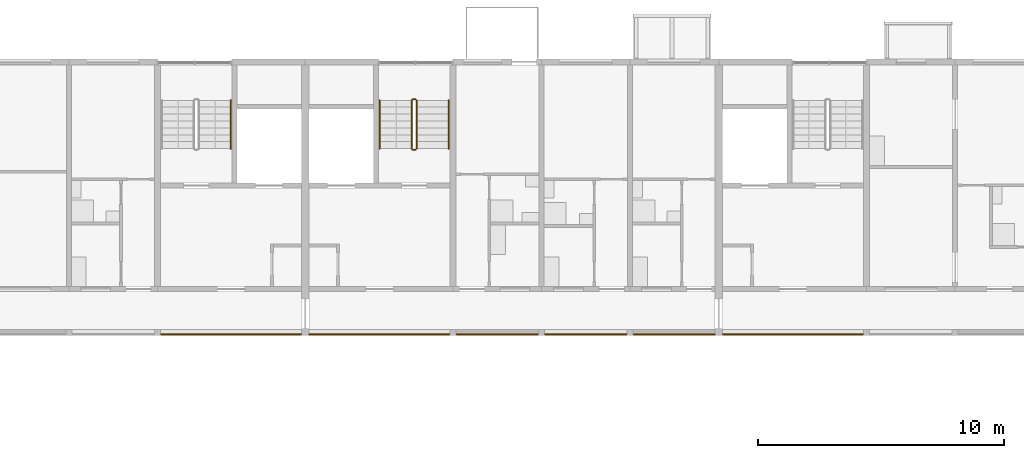
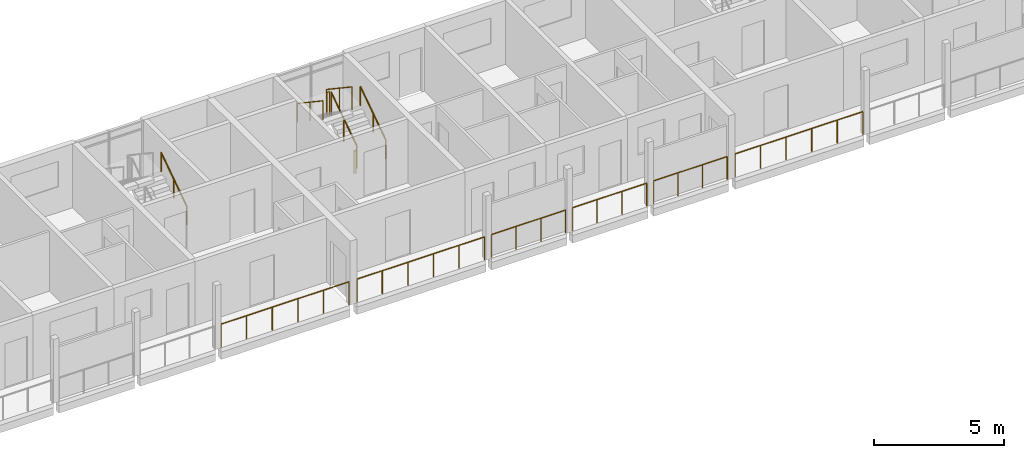
# One storey, part 84 of 98: 13 railings.
"""IFC4 building model written with IfcOpenShell, lengths in metres."""

from ifc_helpers import new_model, si_unit, direction, frame, origin, origin_2d, place, context, subcontext, project, spatial, circle, extrude, material, type_object, element, save


model = new_model("IFC4")

# Units and contexts
model_context = context("Model", 3, precision=1e-05, world=origin(), true_north=direction((0.0, 1.0)))
body_context = subcontext(model_context, "Body", "Model", "MODEL_VIEW")
ifc_project = project(units=[si_unit("LENGTHUNIT", "METRE"), si_unit("AREAUNIT", "SQUARE_METRE"), si_unit("VOLUMEUNIT", "CUBIC_METRE"), si_unit("PLANEANGLEUNIT", "RADIAN"), si_unit("MASSUNIT", "GRAM", prefix="KILO")], contexts=[model_context])

# Site, building, storey
site_placement = place(None, origin())
site = spatial("IfcSite", under=ifc_project, at=site_placement, CompositionType="ELEMENT")
building_placement = place(site_placement, origin())
building = spatial("IfcBuilding", under=site, at=building_placement, Name="Ridgestep Commons", CompositionType="ELEMENT")
storey_placement = place(building_placement, frame((0.0, 0.0, 12.0)))
storey = spatial("IfcBuildingStorey", under=building, at=storey_placement, Name="L04", CompositionType="ELEMENT", Elevation=12.0)

# Railings
ifc_material_1 = material(Name="Structural steel S355JR", Category="steel")
railing_type_1 = type_object("IfcRailingType", Name="Guard 1100", PredefinedType="GUARDRAIL", material=ifc_material_1)
railing_1_placement = place(storey_placement, frame((73.345947265625, 66.050048828125, 0.0)))
element("IfcRailing", 1, at=railing_1_placement, inside=storey, type_object=railing_type_1, Name="Gallery guard B 04.16", PredefinedType="GUARDRAIL", context=body_context, shape_type="SweptSolid", body=[
    extrude(circle(Radius=0.02392578125, at=origin_2d()), frame((0.0, 0.0, 1.076171875), z_axis=(1.0, 0.0, 0.0), x_axis=(0.0, 1.0, 0.0)), (0.0, 0.0, 1.0), 5.68310546875),
    extrude(circle(Radius=0.02099609375, at=origin_2d()), origin(), (0.0, 0.0, 1.0), 1.052001953125),
    extrude(circle(Radius=0.02099609375, at=origin_2d()), frame((1.13671875, 0.0, 0.0)), (0.0, 0.0, 1.0), 1.052001953125),
    extrude(circle(Radius=0.02099609375, at=origin_2d()), frame((2.273193359375, 0.0, 0.0)), (0.0, 0.0, 1.0), 1.052001953125),
    extrude(circle(Radius=0.02099609375, at=origin_2d()), frame((3.409912109375, 0.0, 0.0)), (0.0, 0.0, 1.0), 1.052001953125),
    extrude(circle(Radius=0.02099609375, at=origin_2d()), frame((4.54638671875, 0.0, 0.0)), (0.0, 0.0, 1.0), 1.052001953125),
    extrude(circle(Radius=0.02099609375, at=origin_2d()), frame((5.68310546875, 0.0, 0.0)), (0.0, 0.0, 1.0), 1.052001953125),
])
railing_2_placement = place(storey_placement, frame((79.37109375, 66.050048828125, 0.0)))
element("IfcRailing", 2, at=railing_2_placement, inside=storey, type_object=railing_type_1, Name="Gallery guard B 04.17", PredefinedType="GUARDRAIL", context=body_context, shape_type="SweptSolid", body=[
    extrude(circle(Radius=0.02392578125, at=origin_2d()), frame((0.0, 0.0, 1.076171875), z_axis=(1.0, 0.0, 0.0), x_axis=(0.0, 1.0, 0.0)), (0.0, 0.0, 1.0), 5.682861328125),
    extrude(circle(Radius=0.02099609375, at=origin_2d()), origin(), (0.0, 0.0, 1.0), 1.052001953125),
    extrude(circle(Radius=0.02099609375, at=origin_2d()), frame((1.136474609375, 0.0, 0.0)), (0.0, 0.0, 1.0), 1.052001953125),
    extrude(circle(Radius=0.02099609375, at=origin_2d()), frame((2.273193359375, 0.0, 0.0)), (0.0, 0.0, 1.0), 1.052001953125),
    extrude(circle(Radius=0.02099609375, at=origin_2d()), frame((3.40966796875, 0.0, 0.0)), (0.0, 0.0, 1.0), 1.052001953125),
    extrude(circle(Radius=0.02099609375, at=origin_2d()), frame((4.54638671875, 0.0, 0.0)), (0.0, 0.0, 1.0), 1.052001953125),
    extrude(circle(Radius=0.02099609375, at=origin_2d()), frame((5.682861328125, 0.0, 0.0)), (0.0, 0.0, 1.0), 1.052001953125),
])
railing_3_placement = place(storey_placement, frame((85.345947265625, 66.050048828125, 0.0)))
element("IfcRailing", 3, at=railing_3_placement, inside=storey, type_object=railing_type_1, Name="Gallery guard B 04.18", PredefinedType="GUARDRAIL", context=body_context, shape_type="SweptSolid", body=[
    extrude(circle(Radius=0.02392578125, at=origin_2d()), frame((0.0, 0.0, 1.076171875), z_axis=(1.0, 0.0, 0.0), x_axis=(0.0, 1.0, 0.0)), (0.0, 0.0, 1.0), 3.30810546875),
    extrude(circle(Radius=0.02099609375, at=origin_2d()), origin(), (0.0, 0.0, 1.0), 1.052001953125),
    extrude(circle(Radius=0.02099609375, at=origin_2d()), frame((1.102783203125, 0.0, 0.0)), (0.0, 0.0, 1.0), 1.052001953125),
    extrude(circle(Radius=0.02099609375, at=origin_2d()), frame((2.205322265625, 0.0, 0.0)), (0.0, 0.0, 1.0), 1.052001953125),
    extrude(circle(Radius=0.02099609375, at=origin_2d()), frame((3.30810546875, 0.0, 0.0)), (0.0, 0.0, 1.0), 1.052001953125),
])
railing_4_placement = place(storey_placement, frame((88.946044921875, 66.050048828125, 0.0)))
element("IfcRailing", 4, at=railing_4_placement, inside=storey, type_object=railing_type_1, Name="Gallery guard B 04.19", PredefinedType="GUARDRAIL", context=body_context, shape_type="SweptSolid", body=[
    extrude(circle(Radius=0.02392578125, at=origin_2d()), frame((0.0, 0.0, 1.076171875), z_axis=(1.0, 0.0, 0.0), x_axis=(0.0, 1.0, 0.0)), (0.0, 0.0, 1.0), 3.307861328125),
    extrude(circle(Radius=0.02099609375, at=origin_2d()), origin(), (0.0, 0.0, 1.0), 1.052001953125),
    extrude(circle(Radius=0.02099609375, at=origin_2d()), frame((1.1025390625, 0.0, 0.0)), (0.0, 0.0, 1.0), 1.052001953125),
    extrude(circle(Radius=0.02099609375, at=origin_2d()), frame((2.205322265625, 0.0, 0.0)), (0.0, 0.0, 1.0), 1.052001953125),
    extrude(circle(Radius=0.02099609375, at=origin_2d()), frame((3.307861328125, 0.0, 0.0)), (0.0, 0.0, 1.0), 1.052001953125),
])
railing_5_placement = place(storey_placement, frame((92.5458984375, 66.050048828125, 0.0)))
element("IfcRailing", 5, at=railing_5_placement, inside=storey, type_object=railing_type_1, Name="Gallery guard B 04.20", PredefinedType="GUARDRAIL", context=body_context, shape_type="SweptSolid", body=[
    extrude(circle(Radius=0.02392578125, at=origin_2d()), frame((0.0, 0.0, 1.076171875), z_axis=(1.0, 0.0, 0.0), x_axis=(0.0, 1.0, 0.0)), (0.0, 0.0, 1.0), 3.283203125),
    extrude(circle(Radius=0.02099609375, at=origin_2d()), origin(), (0.0, 0.0, 1.0), 1.052001953125),
    extrude(circle(Radius=0.02099609375, at=origin_2d()), frame((1.094482421875, 0.0, 0.0)), (0.0, 0.0, 1.0), 1.052001953125),
    extrude(circle(Radius=0.02099609375, at=origin_2d()), frame((2.188720703125, 0.0, 0.0)), (0.0, 0.0, 1.0), 1.052001953125),
    extrude(circle(Radius=0.02099609375, at=origin_2d()), frame((3.283203125, 0.0, 0.0)), (0.0, 0.0, 1.0), 1.052001953125),
])
railing_6_placement = place(storey_placement, frame((96.1708984375, 66.050048828125, 0.0)))
element("IfcRailing", 6, at=railing_6_placement, inside=storey, type_object=railing_type_1, Name="Gallery guard B 04.21", PredefinedType="GUARDRAIL", context=body_context, shape_type="SweptSolid", body=[
    extrude(circle(Radius=0.02392578125, at=origin_2d()), frame((0.0, 0.0, 1.076171875), z_axis=(1.0, 0.0, 0.0), x_axis=(0.0, 1.0, 0.0)), (0.0, 0.0, 1.0), 5.68310546875),
    extrude(circle(Radius=0.02099609375, at=origin_2d()), origin(), (0.0, 0.0, 1.0), 1.052001953125),
    extrude(circle(Radius=0.02099609375, at=origin_2d()), frame((1.13671875, 0.0, 0.0)), (0.0, 0.0, 1.0), 1.052001953125),
    extrude(circle(Radius=0.02099609375, at=origin_2d()), frame((2.273193359375, 0.0, 0.0)), (0.0, 0.0, 1.0), 1.052001953125),
    extrude(circle(Radius=0.02099609375, at=origin_2d()), frame((3.409912109375, 0.0, 0.0)), (0.0, 0.0, 1.0), 1.052001953125),
    extrude(circle(Radius=0.02099609375, at=origin_2d()), frame((4.54638671875, 0.0, 0.0)), (0.0, 0.0, 1.0), 1.052001953125),
    extrude(circle(Radius=0.02099609375, at=origin_2d()), frame((5.68310546875, 0.0, 0.0)), (0.0, 0.0, 1.0), 1.052001953125),
])
ifc_material_2 = material(Name="Structural steel S355JR", Category="steel")
railing_type_2 = type_object("IfcRailingType", Name="Stair guard 1100", PredefinedType="GUARDRAIL", material=ifc_material_2)
railing_7_placement = place(storey_placement, frame((83.72509765625, 73.60009765625, 0.1875)))
element("IfcRailing", 7, at=railing_7_placement, inside=storey, type_object=railing_type_2, Name="L04 B5C stair guard 1", PredefinedType="GUARDRAIL", context=body_context, shape_type="SweptSolid", body=[
    extrude(circle(Radius=0.02392578125, at=origin_2d()), frame((0.0, 0.0, 1.076171875), z_axis=(0.0, 0.830902050051, 0.556418712142), x_axis=(-1.0, 0.0, 0.0)), (0.0, 0.0, 1.0), 2.35888671875),
    extrude(circle(Radius=0.02099609375, at=origin_2d()), origin(), (0.0, 0.0, 1.0), 1.052001953125),
    extrude(circle(Radius=0.02099609375, at=origin_2d()), frame((0.0, 0.97998046875, 0.65625)), (0.0, 0.0, 1.0), 1.052001953125),
    extrude(circle(Radius=0.02099609375, at=origin_2d()), frame((0.0, 1.9599609375, 1.3125)), (0.0, 0.0, 1.0), 1.052001953125),
])
railing_8_placement = place(storey_placement, frame((83.675048828125, 75.610107421875, 1.5)))
element("IfcRailing", 8, at=railing_8_placement, inside=storey, type_object=railing_type_2, Name="L04 B5C stair guard 2", PredefinedType="GUARDRAIL", context=body_context, shape_type="SweptSolid", body=[
    extrude(circle(Radius=0.02392578125, at=origin_2d()), frame((0.0, 0.0, 1.076171875), z_axis=(-1.0, 0.0, 0.0), x_axis=(0.0, -1.0, 0.0)), (0.0, 0.0, 1.0), 0.10009765625),
    extrude(circle(Radius=0.02099609375, at=origin_2d()), origin(), (0.0, 0.0, 1.0), 1.052001953125),
    extrude(circle(Radius=0.02099609375, at=origin_2d()), frame((-0.10009765625, 0.0, 0.0)), (0.0, 0.0, 1.0), 1.052001953125),
])
railing_9_placement = place(storey_placement, frame((83.52490234375, 75.56005859375, 1.6875)))
element("IfcRailing", 9, at=railing_9_placement, inside=storey, type_object=railing_type_2, Name="L04 B5C stair guard 3", PredefinedType="GUARDRAIL", context=body_context, shape_type="SweptSolid", body=[
    extrude(circle(Radius=0.02392578125, at=origin_2d()), frame((0.0, 0.0, 1.076171875), z_axis=(0.0, -0.830902050051, 0.556418712142), x_axis=(1.0, 0.0, 0.0)), (0.0, 0.0, 1.0), 2.35888671875),
    extrude(circle(Radius=0.02099609375, at=origin_2d()), origin(), (0.0, 0.0, 1.0), 1.052001953125),
    extrude(circle(Radius=0.02099609375, at=origin_2d()), frame((0.0, -0.97998046875, 0.65625)), (0.0, 0.0, 1.0), 1.052001953125),
    extrude(circle(Radius=0.02099609375, at=origin_2d()), frame((0.0, -1.9599609375, 1.3125)), (0.0, 0.0, 1.0), 1.052001953125),
])
railing_10_placement = place(storey_placement, frame((83.675048828125, 73.550048828125, 0.0)))
element("IfcRailing", 10, at=railing_10_placement, inside=storey, type_object=railing_type_2, Name="L04 B5C stair guard 4", PredefinedType="GUARDRAIL", context=body_context, shape_type="SweptSolid", body=[
    extrude(circle(Radius=0.02392578125, at=origin_2d()), frame((0.0, 0.0, 1.076171875), z_axis=(-1.0, 0.0, 0.0), x_axis=(0.0, -1.0, 0.0)), (0.0, 0.0, 1.0), 0.10009765625),
    extrude(circle(Radius=0.02099609375, at=origin_2d()), origin(), (0.0, 0.0, 1.0), 1.052001953125),
    extrude(circle(Radius=0.02099609375, at=origin_2d()), frame((-0.10009765625, 0.0, 0.0)), (0.0, 0.0, 1.0), 1.052001953125),
])
ifc_material_3 = material(Name="Structural steel S355JR", Category="steel")
railing_type_3 = type_object("IfcRailingType", Name="Stair handrail 900", PredefinedType="HANDRAIL", material=ifc_material_3)
for number, where, name in (
    (11, (76.175048828125, 73.60009765625, 0.1875), "L04 B4C stair handrail 1"),
    (12, (85.02490234375, 73.60009765625, 0.1875), "L04 B5C stair handrail 1"),
):
    element("IfcRailing", number, at=place(storey_placement, frame(where)), inside=storey, type_object=railing_type_3, Name=name, PredefinedType="HANDRAIL", context=body_context, shape_type="SweptSolid", body=[
        extrude(circle(Radius=0.02392578125, at=origin_2d()), frame((0.0, 0.0, 0.8759765625), z_axis=(0.0, 0.830902050051, 0.556418712142), x_axis=(-1.0, 0.0, 0.0)), (0.0, 0.0, 1.0), 2.35888671875),
        extrude(circle(Radius=0.02099609375, at=origin_2d()), origin(), (0.0, 0.0, 1.0), 0.851806640625),
        extrude(circle(Radius=0.02099609375, at=origin_2d()), frame((0.0, 0.97998046875, 0.65625)), (0.0, 0.0, 1.0), 0.851806640625),
        extrude(circle(Radius=0.02099609375, at=origin_2d()), frame((0.0, 1.9599609375, 1.3125)), (0.0, 0.0, 1.0), 0.851806640625),
    ])
railing_11_placement = place(storey_placement, frame((82.22509765625, 75.56005859375, 1.6875)))
element("IfcRailing", 13, at=railing_11_placement, inside=storey, type_object=railing_type_3, Name="L04 B5C stair handrail 2", PredefinedType="HANDRAIL", context=body_context, shape_type="SweptSolid", body=[
    extrude(circle(Radius=0.02392578125, at=origin_2d()), frame((0.0, 0.0, 0.8759765625), z_axis=(0.0, -0.830902050051, 0.556418712142), x_axis=(1.0, 0.0, 0.0)), (0.0, 0.0, 1.0), 2.35888671875),
    extrude(circle(Radius=0.02099609375, at=origin_2d()), origin(), (0.0, 0.0, 1.0), 0.851806640625),
    extrude(circle(Radius=0.02099609375, at=origin_2d()), frame((0.0, -0.97998046875, 0.65625)), (0.0, 0.0, 1.0), 0.851806640625),
    extrude(circle(Radius=0.02099609375, at=origin_2d()), frame((0.0, -1.9599609375, 1.3125)), (0.0, 0.0, 1.0), 0.851806640625),
])

save(model, "model.ifc")
